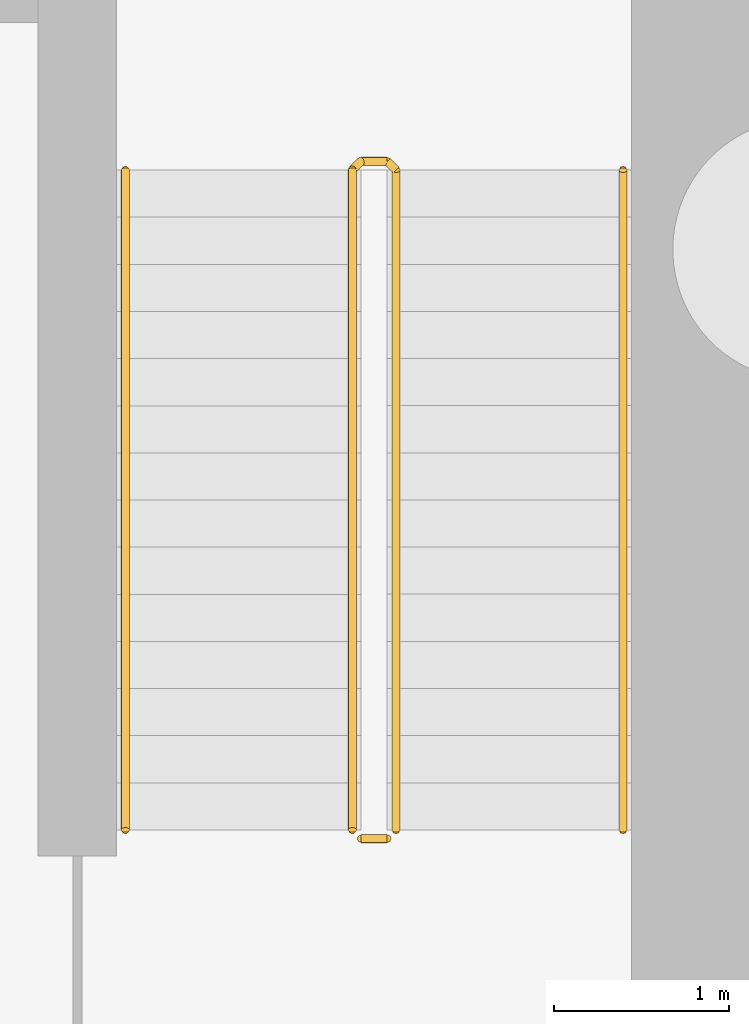
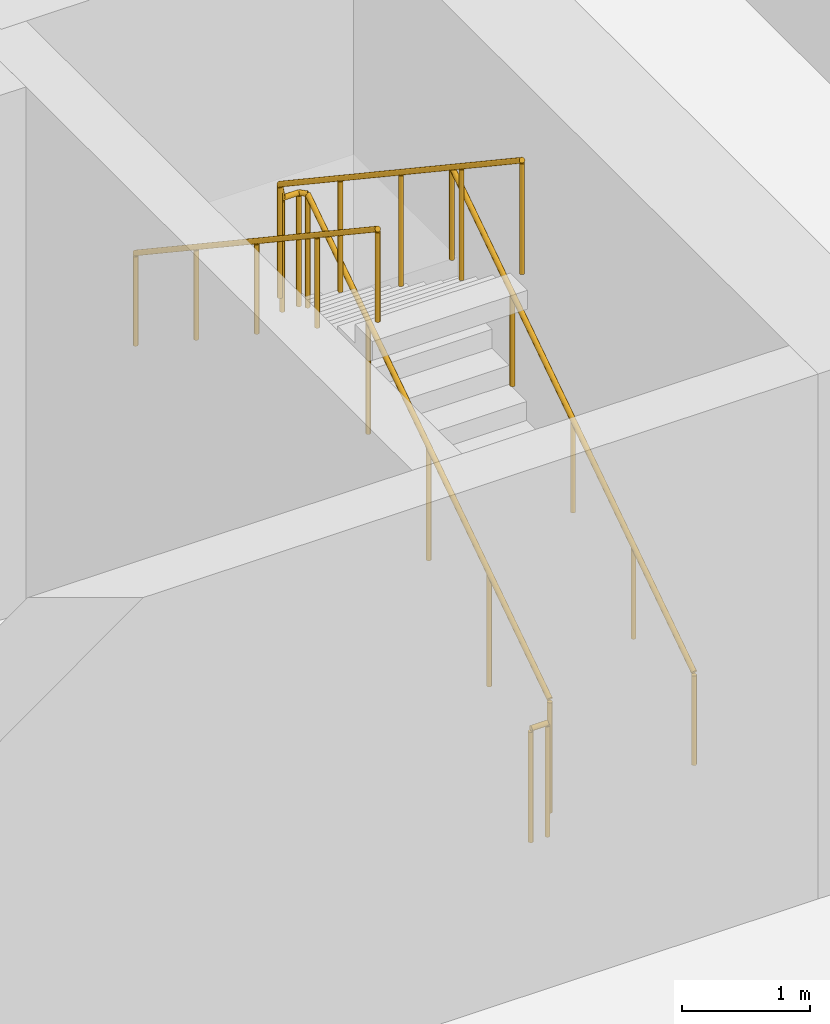
# One storey, part 19 of 20: 4 railings.
"""IFC4 building model written with IfcOpenShell, lengths in metres."""

import ifcopenshell
import ifcopenshell.guid

model = None  # the IFC model being written
_history = None  # IfcOwnerHistory: only IFC2X3 demands one
_inside = {}  # id of a spatial element -> (the spatial element, [elements in it])
_under = {}  # id of a project, library or spatial element -> (it, [spatial elements below it])
_declared = {}  # id of a project -> (the project, [libraries it declares])
_typed = {}  # id of a type object -> (the type object, [elements of that type])
_made_of = {}  # id of a material, layer set ... -> (it, [elements and type objects made of it])


def new_model(schema):
    """Start an empty IFC model of exactly this schema.

    Asked for "IFC4X3", IfcOpenShell would pick the latest addendum, in which some entities
    have other attributes; the version numbers below select the first issue.
    IFC2X3 requires an IfcOwnerHistory on every rooted entity: one is made here for all.
    """
    global model, _history
    if schema == "IFC4X3":
        model = ifcopenshell.file(schema_version=(4, 3, 0, 0))
    else:
        model = ifcopenshell.file(schema=schema)
    _inside.clear()
    _under.clear()
    _declared.clear()
    _typed.clear()
    _made_of.clear()
    _history = None
    if model.schema == "IFC2X3":
        org = make("IfcOrganization", Name="unknown")
        user = make(
            "IfcPersonAndOrganization",
            ThePerson=make("IfcPerson", FamilyName="unknown"),
            TheOrganization=org,
        )
        app = make(
            "IfcApplication",
            ApplicationDeveloper=org,
            Version="unknown",
            ApplicationFullName="unknown",
            ApplicationIdentifier="unknown",
        )
        _history = make(
            "IfcOwnerHistory",
            OwningUser=user,
            OwningApplication=app,
            ChangeAction="ADDED",
            CreationDate=0,
        )
    return model


def make(cls, **values):
    """One entity of the class cls with the attributes given. An attribute that is None is left unset."""
    return model.create_entity(
        cls, **{name: value for name, value in values.items() if value is not None}
    )


def rooted(cls, **values):
    """An entity with a GlobalId (a new one), such as an element, a storey or a relation."""
    return make(cls, GlobalId=ifcopenshell.guid.new(), OwnerHistory=_history, **values)


def si_unit(unit_type, name, prefix=None):
    """IfcSIUnit, for example si_unit("LENGTHUNIT", "METRE", prefix="MILLI")."""
    return make("IfcSIUnit", UnitType=unit_type, Prefix=prefix, Name=name)


def assignment(units):
    """IfcUnitAssignment: the units of a project."""
    return None if units is None else make("IfcUnitAssignment", Units=units)


def point(xyz):
    """IfcCartesianPoint."""
    return None if xyz is None else make("IfcCartesianPoint", Coordinates=xyz)


def direction(xyz):
    """IfcDirection."""
    return None if xyz is None else make("IfcDirection", DirectionRatios=xyz)


def frame(location, z_axis=None, x_axis=None):
    """IfcAxis2Placement3D, a coordinate frame: its origin and axes. An axis left out is left unset."""
    return make(
        "IfcAxis2Placement3D",
        Location=point(location),
        Axis=direction(z_axis),
        RefDirection=direction(x_axis),
    )


def frame_2d(location, x_axis=None):
    """IfcAxis2Placement2D, a coordinate frame in the plane: its origin and x axis."""
    return make(
        "IfcAxis2Placement2D", Location=point(location), RefDirection=direction(x_axis)
    )


def origin():
    """The frame at (0, 0, 0) with its axes left unset."""
    return frame((0.0, 0.0, 0.0))


def origin_2d():
    """The frame at (0, 0) in the plane with its x axis left unset."""
    return frame_2d((0.0, 0.0))


def place(relative_to, where):
    """IfcLocalPlacement: puts the frame where relative to a parent placement (None: the world)."""
    return make(
        "IfcLocalPlacement", PlacementRelTo=relative_to, RelativePlacement=where
    )


def context(
    kind, dimensions, precision=None, world=None, true_north=None, identifier=None
):
    """IfcGeometricRepresentationContext, for example the 3D "Model" context."""
    return make(
        "IfcGeometricRepresentationContext",
        ContextIdentifier=identifier,
        ContextType=kind,
        CoordinateSpaceDimension=dimensions,
        Precision=precision,
        WorldCoordinateSystem=world,
        TrueNorth=true_north,
    )


def subcontext(parent, identifier, kind, view, scale=None):
    """IfcGeometricRepresentationSubContext, for example "Body" below "Model"."""
    return make(
        "IfcGeometricRepresentationSubContext",
        ContextIdentifier=identifier,
        ContextType=kind,
        ParentContext=parent,
        TargetScale=scale,
        TargetView=view,
    )


def project(units=None, contexts=None):
    """IfcProject with its units and contexts."""
    return rooted(
        "IfcProject",
        Name="project",
        RepresentationContexts=contexts,
        UnitsInContext=assignment(units),
    )


def spatial(cls, under=None, at=None, **own):
    """A site, building, storey or space (cls), placed at a placement, below another one or the project."""
    s = rooted(cls, ObjectPlacement=at, **own)
    if under is not None:
        _under.setdefault(under.id(), (under, []))[1].append(s)
    return s


def profile(cls, at=None, kind="AREA", **sizes):
    """A parametric profile (cls). Its sizes go by their IFC names, for example OverallWidth=200.0."""
    return make(cls, ProfileType=kind, Position=at, **sizes)


def circle(**sizes):
    """IfcCircleProfileDef."""
    return profile("IfcCircleProfileDef", **sizes)


def extrude(swept, where, along, depth):
    """IfcExtrudedAreaSolid: the profile swept, set in the frame where, extruded along a direction by depth."""
    return make(
        "IfcExtrudedAreaSolid",
        SweptArea=swept,
        Position=where,
        ExtrudedDirection=direction(along),
        Depth=depth,
    )


def shape(context_of_items, identifier, shape_type, items):
    """IfcShapeRepresentation: the items that make up one representation, for example the "Body"."""
    return make(
        "IfcShapeRepresentation",
        ContextOfItems=context_of_items,
        RepresentationIdentifier=identifier,
        RepresentationType=shape_type,
        Items=items,
    )


def material(Name=None, Category=None):
    """IfcMaterial."""
    return make("IfcMaterial", Name=Name, Category=Category)


def made_of(thing, what):
    """Note that an element or type object is made of a material, layer set ...; save() writes the relation."""
    if what is not None:
        _made_of.setdefault(what.id(), (what, []))[1].append(thing)
    return thing


def type_object(cls, material=None, **own):
    """A type object (cls), such as IfcWallType, which elements share."""
    return made_of(rooted(cls, **own), material)


def element(
    cls,
    number,
    at=None,
    inside=None,
    cuts=None,
    type_object=None,
    material=None,
    context=None,
    identifier="Body",
    shape_type=None,
    held_by="IfcProductDefinitionShape",
    body=None,
    shapes=None,
    **own,
):
    """One element of the class cls, such as IfcWall. Its Tag is "e" and its number.

    at: its placement. inside: the storey or other place that contains it. cuts: it is an
    opening in that element (IfcRelVoidsElement). A single representation is given by context,
    identifier, shape_type and body (its items); several are given by shapes. held_by: the class
    of the entity that holds the representations. save() writes the other relations.
    """
    e = rooted(cls, Tag="e%d" % number, ObjectPlacement=at, **own)
    if body is not None:
        shapes = [shape(context, identifier, shape_type, body)]
    if shapes is not None:
        e.Representation = make(held_by, Representations=shapes)
    if inside is not None:
        _inside.setdefault(inside.id(), (inside, []))[1].append(e)
    if cuts is not None:
        rooted(
            "IfcRelVoidsElement", RelatingBuildingElement=cuts, RelatedOpeningElement=e
        )
    if type_object is not None:
        _typed.setdefault(type_object.id(), (type_object, []))[1].append(e)
    return made_of(e, material)


def aggregate(whole, parts):
    """IfcRelAggregates: a whole, such as a stair, and the parts it consists of."""
    return rooted("IfcRelAggregates", RelatingObject=whole, RelatedObjects=parts)


def save(model, path):
    """Write the relations noted so far, then the file.

    IfcRelAggregates (storeys below a building ...), IfcRelContainedInSpatialStructure (elements
    in a storey), IfcRelDefinesByType, IfcRelAssociatesMaterial and IfcRelDeclares: one each for
    every whole, place, type object, material and project.
    """
    for whole, parts in _under.values():
        aggregate(whole, parts)
    for where, things in _inside.values():
        rooted(
            "IfcRelContainedInSpatialStructure",
            RelatedElements=things,
            RelatingStructure=where,
        )
    for kind, things in _typed.values():
        rooted("IfcRelDefinesByType", RelatedObjects=things, RelatingType=kind)
    for what, things in _made_of.values():
        rooted("IfcRelAssociatesMaterial", RelatedObjects=things, RelatingMaterial=what)
    for by, libraries in _declared.values():
        rooted("IfcRelDeclares", RelatingContext=by, RelatedDefinitions=libraries)
    model.write(path)


model = new_model("IFC4")

# Units and contexts
model_context = context("Model", 3, precision=1e-05, world=origin(), true_north=direction((0.0, 1.0)))
body_context = subcontext(model_context, "Body", "Model", "MODEL_VIEW")
ifc_project = project(units=[si_unit("LENGTHUNIT", "METRE"), si_unit("AREAUNIT", "SQUARE_METRE"), si_unit("VOLUMEUNIT", "CUBIC_METRE"), si_unit("PLANEANGLEUNIT", "RADIAN"), si_unit("MASSUNIT", "GRAM", prefix="KILO")], contexts=[model_context])

# Site, building, storey
site_placement = place(None, origin())
site = spatial("IfcSite", under=ifc_project, at=site_placement, CompositionType="ELEMENT")
building_placement = place(site_placement, origin())
building = spatial("IfcBuilding", under=site, at=building_placement, Name="Saffron Iwan Residences", CompositionType="ELEMENT")
storey_placement = place(building_placement, frame((0.0, 0.0, -5.39990234375)))
storey = spatial("IfcBuildingStorey", under=building, at=storey_placement, Name="B1", CompositionType="ELEMENT", Elevation=-5.39990234375)

# Railings
ifc_material_1 = material(Name="Steel S355", Category="steel")
railing_type_1 = type_object("IfcRailingType", Name="Stair guard 1100", PredefinedType="GUARDRAIL", material=ifc_material_1)
railing_1_placement = place(storey_placement, frame((69.75, 67.85009765625, 0.179931640625)))
element("IfcRailing", 1, at=railing_1_placement, inside=storey, type_object=railing_type_1, Name="B1 ST-E stair guard 1", PredefinedType="GUARDRAIL", context=body_context, shape_type="SweptSolid", body=[
    extrude(circle(Radius=0.02392578125, at=origin_2d()), frame((0.0, 0.0, 1.076171875), z_axis=(0.0, 0.832033757966, 0.554724999982), x_axis=(-1.0, 0.0, 0.0)), (0.0, 0.0, 1.0), 4.542724609375),
    extrude(circle(Radius=0.02392578125, at=origin_2d()), frame((0.0, 3.77978515625, 3.59619140625), z_axis=(-0.707106781187, 0.707106781187, 0.0), x_axis=(-0.707106781187, -0.707106781187, 0.0)), (0.0, 0.0, 1.0), 0.07080078125),
    extrude(circle(Radius=0.02392578125, at=origin_2d()), frame((-0.050048828125, 3.829833984375, 3.59619140625), z_axis=(-1.0, 0.0, 0.0), x_axis=(0.0, -1.0, 0.0)), (0.0, 0.0, 1.0), 0.14990234375),
    extrude(circle(Radius=0.02392578125, at=origin_2d()), frame((-0.199951171875, 3.829833984375, 3.59619140625), z_axis=(-0.258847668887, -0.258847668887, 0.930588936439), x_axis=(0.707106781187, -0.707106781187, 0.0)), (0.0, 0.0, 1.0), 0.193359375),
    extrude(circle(Radius=0.02392578125, at=origin_2d()), frame((-0.25, 3.77978515625, 3.77587890625), z_axis=(0.0, -0.832033757966, 0.554724999982), x_axis=(1.0, 0.0, 0.0)), (0.0, 0.0, 1.0), 4.542724609375),
    extrude(circle(Radius=0.02099609375, at=origin_2d()), origin(), (0.0, 0.0, 1.0), 1.052001953125),
    extrude(circle(Radius=0.02099609375, at=origin_2d()), frame((0.0, 0.94482421875, 0.6298828125)), (0.0, 0.0, 1.0), 1.052001953125),
    extrude(circle(Radius=0.02099609375, at=origin_2d()), frame((0.0, 1.889892578125, 1.260009765625)), (0.0, 0.0, 1.0), 1.052001953125),
    extrude(circle(Radius=0.02099609375, at=origin_2d()), frame((0.0, 2.8349609375, 1.89013671875)), (0.0, 0.0, 1.0), 1.052001953125),
    extrude(circle(Radius=0.02099609375, at=origin_2d()), frame((0.0, 3.77978515625, 2.52001953125)), (0.0, 0.0, 1.0), 1.052001953125),
    extrude(circle(Radius=0.02099609375, at=origin_2d()), frame((-0.050048828125, 3.829833984375, 2.52001953125)), (0.0, 0.0, 1.0), 1.052001953125),
    extrude(circle(Radius=0.02099609375, at=origin_2d()), frame((-0.199951171875, 3.829833984375, 2.52001953125)), (0.0, 0.0, 1.0), 1.052001953125),
    extrude(circle(Radius=0.02099609375, at=origin_2d()), frame((-0.25, 3.77978515625, 2.699951171875)), (0.0, 0.0, 1.0), 1.052001953125),
    extrude(circle(Radius=0.02099609375, at=origin_2d()), frame((-0.25, 2.8349609375, 3.330078125)), (0.0, 0.0, 1.0), 1.052001953125),
    extrude(circle(Radius=0.02099609375, at=origin_2d()), frame((-0.25, 1.889892578125, 3.9599609375)), (0.0, 0.0, 1.0), 1.052001953125),
    extrude(circle(Radius=0.02099609375, at=origin_2d()), frame((-0.25, 0.94482421875, 4.58984375)), (0.0, 0.0, 1.0), 1.052001953125),
    extrude(circle(Radius=0.02099609375, at=origin_2d()), frame((-0.25, 0.0, 5.219970703125)), (0.0, 0.0, 1.0), 1.052001953125),
])
railing_2_placement = place(storey_placement, frame((69.699951171875, 67.800048828125, 0.0)))
element("IfcRailing", 2, at=railing_2_placement, inside=storey, type_object=railing_type_1, Name="B1 ST-E stair guard 2", PredefinedType="GUARDRAIL", context=body_context, shape_type="SweptSolid", body=[
    extrude(circle(Radius=0.02392578125, at=origin_2d()), frame((0.0, 0.0, 1.076171875), z_axis=(-1.0, 0.0, 0.0), x_axis=(0.0, -1.0, 0.0)), (0.0, 0.0, 1.0), 0.14990234375),
    extrude(circle(Radius=0.02099609375, at=origin_2d()), origin(), (0.0, 0.0, 1.0), 1.052001953125),
    extrude(circle(Radius=0.02099609375, at=origin_2d()), frame((-0.14990234375, 0.0, 0.0)), (0.0, 0.0, 1.0), 1.052001953125),
])
ifc_material_2 = material(Name="Stainless steel 316", Category="steel")
railing_type_2 = type_object("IfcRailingType", Name="Stair handrail 900", PredefinedType="HANDRAIL", material=ifc_material_2)
railing_3_placement = place(storey_placement, frame((71.050048828125, 67.85009765625, 0.179931640625)))
element("IfcRailing", 3, at=railing_3_placement, inside=storey, type_object=railing_type_2, Name="B1 ST-E stair handrail 1", PredefinedType="HANDRAIL", context=body_context, shape_type="SweptSolid", body=[
    extrude(circle(Radius=0.02392578125, at=origin_2d()), frame((0.0, 0.0, 0.8759765625), z_axis=(0.0, 0.832033757966, 0.554724999982), x_axis=(-1.0, 0.0, 0.0)), (0.0, 0.0, 1.0), 4.542724609375),
    extrude(circle(Radius=0.02099609375, at=origin_2d()), origin(), (0.0, 0.0, 1.0), 0.851806640625),
    extrude(circle(Radius=0.02099609375, at=origin_2d()), frame((0.0, 0.94482421875, 0.6298828125)), (0.0, 0.0, 1.0), 0.851806640625),
    extrude(circle(Radius=0.02099609375, at=origin_2d()), frame((0.0, 1.889892578125, 1.260009765625)), (0.0, 0.0, 1.0), 0.851806640625),
    extrude(circle(Radius=0.02099609375, at=origin_2d()), frame((0.0, 2.8349609375, 1.89013671875)), (0.0, 0.0, 1.0), 0.851806640625),
    extrude(circle(Radius=0.02099609375, at=origin_2d()), frame((0.0, 3.77978515625, 2.52001953125)), (0.0, 0.0, 1.0), 0.851806640625),
])
railing_4_placement = place(storey_placement, frame((68.199951171875, 71.6298828125, 2.8798828125)))
element("IfcRailing", 4, at=railing_4_placement, inside=storey, type_object=railing_type_2, Name="B1 ST-E stair handrail 2", PredefinedType="HANDRAIL", context=body_context, shape_type="SweptSolid", body=[
    extrude(circle(Radius=0.02392578125, at=origin_2d()), frame((0.0, 0.0, 0.8759765625), z_axis=(0.0, -0.832033757966, 0.554724999982), x_axis=(1.0, 0.0, 0.0)), (0.0, 0.0, 1.0), 4.542724609375),
    extrude(circle(Radius=0.02099609375, at=origin_2d()), origin(), (0.0, 0.0, 1.0), 0.851806640625),
    extrude(circle(Radius=0.02099609375, at=origin_2d()), frame((0.0, -0.94482421875, 0.6298828125)), (0.0, 0.0, 1.0), 0.851806640625),
    extrude(circle(Radius=0.02099609375, at=origin_2d()), frame((0.0, -1.889892578125, 1.260009765625)), (0.0, 0.0, 1.0), 0.851806640625),
    extrude(circle(Radius=0.02099609375, at=origin_2d()), frame((0.0, -2.8349609375, 1.89013671875)), (0.0, 0.0, 1.0), 0.851806640625),
    extrude(circle(Radius=0.02099609375, at=origin_2d()), frame((0.0, -3.77978515625, 2.52001953125)), (0.0, 0.0, 1.0), 0.851806640625),
])

save(model, "model.ifc")
